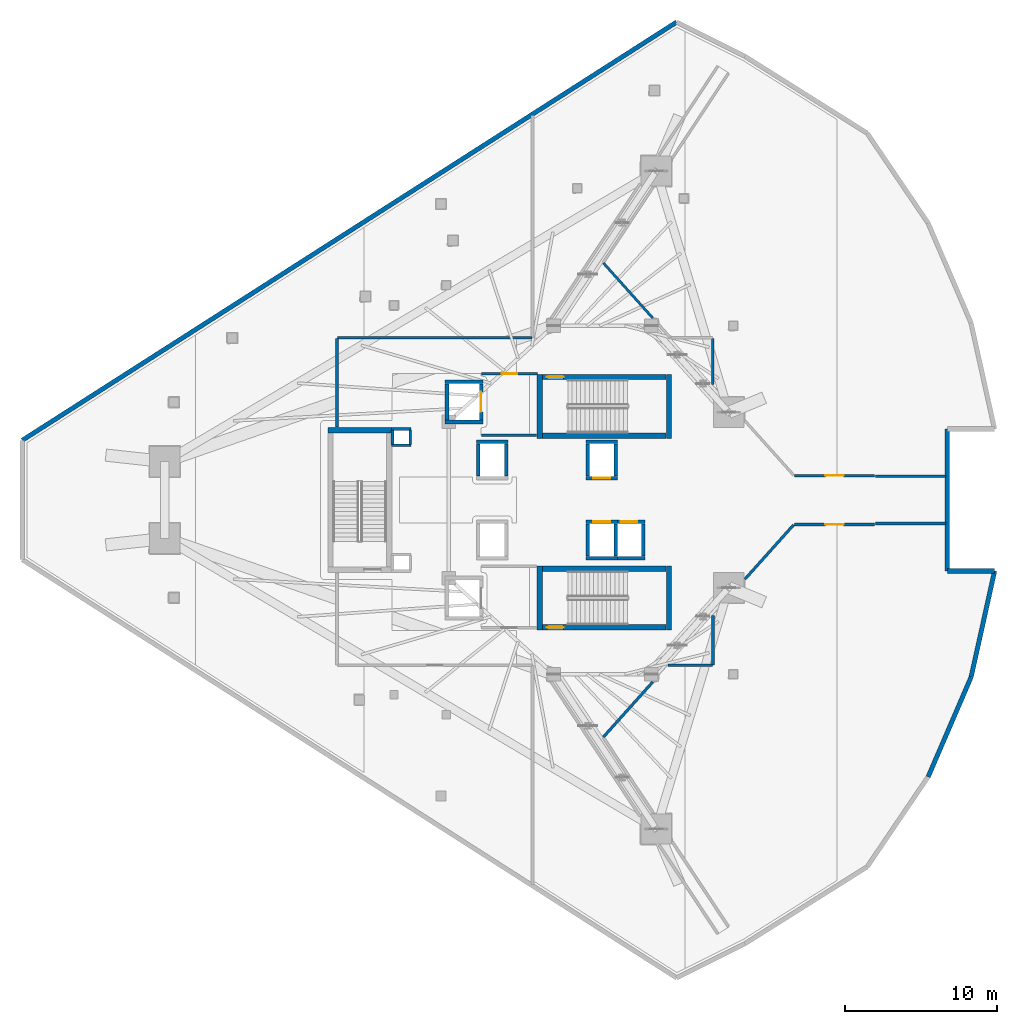
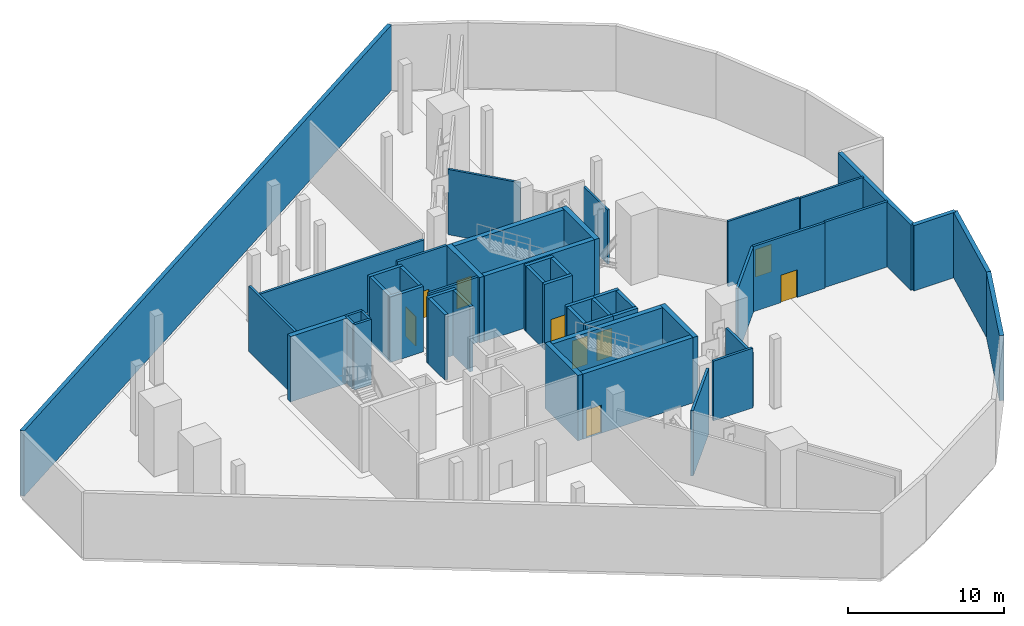
# One storey, part 5 of 13: 50 walls, 9 doors, 9 openings.
"""IFC4 building model written with IfcOpenShell, lengths in metres."""

from ifc_helpers import new_model, si_unit, direction, frame, frame_2d, origin, place, context, subcontext, project, spatial, rectangle, extrude, material, layer, layer_set, type_object, element, fill, save


model = new_model("IFC4")

# Units and contexts
model_context = context("Model", 3, precision=1e-05, world=origin(), true_north=direction((0.0, 1.0)))
body_context = subcontext(model_context, "Body", "Model", "MODEL_VIEW")
ifc_project = project(units=[si_unit("LENGTHUNIT", "METRE"), si_unit("AREAUNIT", "SQUARE_METRE"), si_unit("VOLUMEUNIT", "CUBIC_METRE"), si_unit("PLANEANGLEUNIT", "RADIAN"), si_unit("MASSUNIT", "GRAM", prefix="KILO")], contexts=[model_context])

# Site, building, storey
site_placement = place(None, origin())
site = spatial("IfcSite", under=ifc_project, at=site_placement, CompositionType="ELEMENT")
building_placement = place(site_placement, origin())
building = spatial("IfcBuilding", under=site, at=building_placement, Name="Qorvath Tower", CompositionType="ELEMENT")
storey_placement = place(building_placement, frame((0.0, 0.0, 174.60009765625)))
storey = spatial("IfcBuildingStorey", under=building, at=storey_placement, Name="L40", CompositionType="ELEMENT", Elevation=174.60009765625)

# Walls
ifc_material_1 = material(Name="Gypsum shaftliner on steel studs", Category="steel")
ifc_layer_1 = layer(ifc_material_1, 0.179931640625)
ifc_layer_set_1 = layer_set([ifc_layer_1], Name="FW-LOBBY")
wall_type_1 = type_object("IfcWallType", Name="FW-LOBBY", PredefinedType="PARTITIONING", material=ifc_layer_set_1)
for number, where, z_axis, x_axis, name in (
    (1, (-32.989990234375, 3.594970703125, 0.0), (0.0, 0.0, 1.0), (-1.0, 0.0, 0.0), "MEP Riser Shaft Enclosure Wall N-L40-S"),
    (2, (-34.260009765625, 4.675048828125, 0.0), (0.0, 0.0, 1.0), (1.0, 0.0, 0.0), "MEP Riser Shaft Enclosure Wall N-L40-N"),
):
    element("IfcWall", number, at=place(storey_placement, frame(where, z_axis=z_axis, x_axis=x_axis)), inside=storey, type_object=wall_type_1, Name=name, PredefinedType="PARTITIONING", context=body_context, shape_type="SweptSolid", body=[
        extrude(rectangle(XDim=1.27001953125, YDim=0.179931640625, at=frame_2d((0.635009765625, 0.0))), origin(), (0.0, 0.0, 1.0), 5.099853515625),
    ])
for number, where, z_axis, x_axis, name in (
    (3, (-34.205078125, 3.659912109375, 0.0), (0.0, 0.0, 1.0), (0.0, 1.0, 0.0), "MEP Riser Shaft Enclosure Wall N-L40-W"),
    (4, (-33.044921875, 4.610107421875, 0.0), (0.0, 0.0, 1.0), (0.0, -1.0, 0.0), "MEP Riser Shaft Enclosure Wall N-L40-E"),
):
    element("IfcWall", number, at=place(storey_placement, frame(where, z_axis=z_axis, x_axis=x_axis)), inside=storey, type_object=wall_type_1, Name=name, PredefinedType="PARTITIONING", context=body_context, shape_type="SweptSolid", body=[
        extrude(rectangle(XDim=0.9501953125, YDim=0.179931640625, at=frame_2d((0.47509765625, 0.0))), origin(), (0.0, 0.0, 1.0), 5.099853515625),
    ])
wall_1_placement = place(storey_placement, frame((-28.35498046875, 4.25, 0.0), z_axis=(0.0, 0.0, 1.0), x_axis=(1.0, 0.0, 0.0)))
element("IfcWall", 5, at=wall_1_placement, inside=storey, type_object=wall_type_1, Name="Interior Partition IW-T1-L40-001", PredefinedType="PARTITIONING", context=body_context, shape_type="SweptSolid", body=[
    extrude(rectangle(XDim=3.6220703125, YDim=0.179931640625, at=frame_2d((1.81103515625, 0.0))), origin(), (0.0, 0.0, 1.0), 5.099853515625),
])

# Wall, opening, door
wall_2_placement = place(storey_placement, frame((-24.68408203125, 8.300048828125, 0.0), z_axis=(0.0, 0.0, 1.0), x_axis=(-1.0, 0.0, 0.0)))
wall_2 = element("IfcWall", 6, at=wall_2_placement, inside=storey, type_object=wall_type_1, Name="Interior Partition IW-T1-L40-002", PredefinedType="PARTITIONING", context=body_context, shape_type="SweptSolid", body=[
    extrude(rectangle(XDim=3.6708984375, YDim=0.179931640625, at=frame_2d((1.83544921875, 0.0))), origin(), (0.0, 0.0, 1.0), 5.099853515625),
])
opening_1_placement = place(wall_2_placement, frame((1.33544921875, 0.0, 0.0)))
opening_1 = element("IfcOpeningElement", 7, at=opening_1_placement, cuts=wall_2, Name="Opening D-T1-L40-04", PredefinedType="OPENING", context=body_context, shape_type="SweptSolid", body=[
    extrude(rectangle(XDim=1.0, YDim=2.14990234375, at=frame_2d((0.5, 1.074951171875))), frame((0.0, 0.10009765625, 0.0), z_axis=(0.0, -1.0, 0.0), x_axis=(1.0, 0.0, 0.0)), (0.0, 0.0, 1.0), 0.199951171875),
])
ifc_material_2 = material(Name="Painted galvanised hollow metal", Category="steel")
door_type_1 = type_object("IfcDoorType", Name="FD-60", OperationType="NOTDEFINED", PredefinedType="DOOR", material=ifc_material_2)
door_1_placement = place(opening_1_placement, origin())
door_1 = element("IfcDoor", 8, at=door_1_placement, inside=storey, type_object=door_type_1, Name="Lobby Fire Service Elevator North Door D-T1-L40-04", OperationType="SINGLE_SWING_RIGHT", OverallHeight=2.14990234375, OverallWidth=1.0, PredefinedType="DOOR", context=body_context, shape_type="SweptSolid", body=[
    extrude(rectangle(XDim=1.0, YDim=2.14990234375, at=frame_2d((0.5, 1.074951171875))), frame((0.0, 0.02490234375, 0.0), z_axis=(0.0, -1.0, 0.0), x_axis=(1.0, 0.0, 0.0)), (0.0, 0.0, 1.0), 0.050048828125),
])
fill(opening_1, door_1)

# Walls
wall_3_placement = place(storey_placement, frame((-37.85791015625, 4.783203125, 0.0), z_axis=(0.0, 0.0, 1.0), x_axis=(0.0, 1.0, 0.0)))
element("IfcWall", 9, at=wall_3_placement, inside=storey, type_object=wall_type_1, Name="Interior Partition IW-T1-L40-008", PredefinedType="PARTITIONING", context=body_context, shape_type="SweptSolid", body=[
    extrude(rectangle(XDim=5.849853515625, YDim=0.179931640625, at=frame_2d((2.9248046875, 0.0))), origin(), (0.0, 0.0, 1.0), 5.099853515625),
])
wall_4_placement = place(storey_placement, frame((-25.02490234375, 10.657958984375, 0.0), z_axis=(0.0, 0.0, 1.0), x_axis=(-1.0, 0.0, 0.0)))
element("IfcWall", 10, at=wall_4_placement, inside=storey, type_object=wall_type_1, Name="Interior Partition IW-T1-L40-009", PredefinedType="PARTITIONING", context=body_context, shape_type="SweptSolid", body=[
    extrude(rectangle(XDim=12.80810546875, YDim=0.179931640625, at=frame_2d((6.404052734375, 0.0))), origin(), (0.0, 0.0, 1.0), 4.2197265625),
])
wall_5_placement = place(storey_placement, frame((2.190673828125, -1.550048828125, 0.0), z_axis=(0.0, 0.0, 1.0), x_axis=(-1.0, 0.0, 0.0)))
element("IfcWall", 11, at=wall_5_placement, inside=storey, type_object=wall_type_1, Name="Interior Partition IW-T1-L40-022", PredefinedType="PARTITIONING", context=body_context, shape_type="SweptSolid", body=[
    extrude(rectangle(XDim=4.657470703125, YDim=0.179931640625, at=frame_2d((2.32861328125, 0.0))), origin(), (0.0, 0.0, 1.0), 5.099853515625),
])

# Wall, opening, door
wall_6_placement = place(storey_placement, frame((-2.516845703125, -1.60791015625, 0.0), z_axis=(0.0, 0.0, 1.0), x_axis=(-1.0, 0.0, 0.0)))
wall_6 = element("IfcWall", 12, at=wall_6_placement, inside=storey, type_object=wall_type_1, Name="Interior Partition IW-T1-L40-023", PredefinedType="PARTITIONING", context=body_context, shape_type="SweptSolid", body=[
    extrude(rectangle(XDim=5.270263671875, YDim=0.179931640625, at=frame_2d((2.63525390625, 0.0))), origin(), (0.0, 0.0, 1.0), 5.099853515625),
])
opening_2_placement = place(wall_6_placement, frame((2.03515625, 0.0, 0.0)))
opening_2 = element("IfcOpeningElement", 13, at=opening_2_placement, cuts=wall_6, Name="Opening D-T1-L40-03", PredefinedType="OPENING", context=body_context, shape_type="SweptSolid", body=[
    extrude(rectangle(XDim=1.199951171875, YDim=2.14990234375, at=frame_2d((0.60009765625, 1.074951171875))), frame((0.0, 0.10009765625, 0.0), z_axis=(0.0, -1.0, 0.0), x_axis=(1.0, 0.0, 0.0)), (0.0, 0.0, 1.0), 0.199951171875),
])
ifc_material_3 = material(Name="Painted galvanised hollow metal", Category="steel")
door_type_2 = type_object("IfcDoorType", Name="FD-60W", OperationType="NOTDEFINED", PredefinedType="DOOR", material=ifc_material_3)
door_2_placement = place(opening_2_placement, origin())
door_2 = element("IfcDoor", 14, at=door_2_placement, inside=storey, type_object=door_type_2, Name="Plant Electrical Switchgear Room L40 Door D-T1-L40-03", OperationType="SINGLE_SWING_LEFT", OverallHeight=2.14990234375, OverallWidth=1.199951171875, PredefinedType="DOOR", context=body_context, shape_type="SweptSolid", body=[
    extrude(rectangle(XDim=1.199951171875, YDim=2.14990234375, at=frame_2d((0.60009765625, 1.074951171875))), frame((0.0, 0.02490234375, 0.0), z_axis=(0.0, -1.0, 0.0), x_axis=(1.0, 0.0, 0.0)), (0.0, 0.0, 1.0), 0.050048828125),
])
fill(opening_2, door_2)

# Walls
wall_7_placement = place(storey_placement, frame((-7.82861328125, -1.62646484375, 0.0), z_axis=(0.0, 0.0, 1.0), x_axis=(-0.667539194933, -0.744574659271, 0.0)))
element("IfcWall", 15, at=wall_7_placement, inside=storey, type_object=wall_type_1, Name="Interior Partition IW-T1-L40-024", PredefinedType="PARTITIONING", context=body_context, shape_type="SweptSolid", body=[
    extrude(rectangle(XDim=4.810791015625, YDim=0.179931640625, at=frame_2d((2.4052734375, 0.0))), origin(), (0.0, 0.0, 1.0), 5.099853515625),
])
wall_8_placement = place(storey_placement, frame((-13.14208984375, -7.577880859375, 0.0), z_axis=(0.0, 0.0, 1.0), x_axis=(0.0, -1.0, 0.0)))
element("IfcWall", 16, at=wall_8_placement, inside=storey, type_object=wall_type_1, Name="Interior Partition IW-T1-L40-025", PredefinedType="PARTITIONING", context=body_context, shape_type="SweptSolid", body=[
    extrude(rectangle(XDim=3.255126953125, YDim=0.179931640625, at=frame_2d((1.62744140625, 0.0))), origin(), (0.0, 0.0, 1.0), 4.2197265625),
])
wall_9_placement = place(storey_placement, frame((-13.1669921875, -10.85791015625, 0.0), z_axis=(0.0, 0.0, 1.0), x_axis=(-1.0, 0.0, 0.0)))
element("IfcWall", 17, at=wall_9_placement, inside=storey, type_object=wall_type_1, Name="Interior Partition IW-T1-L40-026", PredefinedType="PARTITIONING", context=body_context, shape_type="SweptSolid", body=[
    extrude(rectangle(XDim=2.9130859375, YDim=0.179931640625, at=frame_2d((1.45654296875, 0.0))), origin(), (0.0, 0.0, 1.0), 4.6640625),
])
wall_10_placement = place(storey_placement, frame((-17.092041015625, -11.95849609375, 0.0), z_axis=(0.0, 0.0, 1.0), x_axis=(-0.667490298594, -0.744618493782, 0.0)))
element("IfcWall", 18, at=wall_10_placement, inside=storey, type_object=wall_type_1, Name="Interior Partition IW-T1-L40-027", PredefinedType="PARTITIONING", context=body_context, shape_type="SweptSolid", body=[
    extrude(rectangle(XDim=4.862060546875, YDim=0.179931640625, at=frame_2d((2.43115234375, 0.0))), origin(), (0.0, 0.0, 1.0), 5.099853515625),
])
ifc_material_4 = material(Name="Double acoustic gypsum board on steel studs", Category="steel")
ifc_layer_2 = layer(ifc_material_4, 0.159912109375)
ifc_layer_set_2 = layer_set([ifc_layer_2], Name="IW-ACOUSTIC-160")
wall_type_2 = type_object("IfcWallType", Name="IW-ACOUSTIC-160", PredefinedType="PARTITIONING", material=ifc_layer_set_2)
wall_11_placement = place(storey_placement, frame((-20.33740234375, 15.578857421875, 0.0), z_axis=(0.0, 0.0, 1.0), x_axis=(0.667490298594, -0.744618493782, 0.0)))
element("IfcWall", 19, at=wall_11_placement, inside=storey, type_object=wall_type_2, Name="Interior Partition IW-T1-L40-015", PredefinedType="PARTITIONING", context=body_context, shape_type="SweptSolid", body=[
    extrude(rectangle(XDim=4.862060546875, YDim=0.159912109375, at=frame_2d((2.43115234375, 0.0))), origin(), (0.0, 0.0, 1.0), 5.099853515625),
])
wall_12_placement = place(storey_placement, frame((-13.14208984375, 10.633056640625, 0.0), z_axis=(0.0, 0.0, 1.0), x_axis=(0.0, -1.0, 0.0)))
element("IfcWall", 20, at=wall_12_placement, inside=storey, type_object=wall_type_2, Name="Interior Partition IW-T1-L40-018", PredefinedType="PARTITIONING", context=body_context, shape_type="SweptSolid", body=[
    extrude(rectangle(XDim=3.05517578125, YDim=0.159912109375, at=frame_2d((1.527587890625, 0.0))), origin(), (0.0, 0.0, 1.0), 4.2197265625),
])

# Wall, opening, door
wall_13_placement = place(storey_placement, frame((-7.787109375, 1.60791015625, 0.0), z_axis=(0.0, 0.0, 1.0), x_axis=(1.0, 0.0, 0.0)))
wall_13 = element("IfcWall", 21, at=wall_13_placement, inside=storey, type_object=wall_type_2, Name="Interior Partition IW-T1-L40-020", PredefinedType="PARTITIONING", context=body_context, shape_type="SweptSolid", body=[
    extrude(rectangle(XDim=5.270263671875, YDim=0.159912109375, at=frame_2d((2.63525390625, 0.0))), origin(), (0.0, 0.0, 1.0), 5.099853515625),
])
opening_3_placement = place(wall_13_placement, frame((2.03515625, 0.0, 0.0)))
opening_3 = element("IfcOpeningElement", 22, at=opening_3_placement, cuts=wall_13, Name="Opening D-T1-L40-02", PredefinedType="OPENING", context=body_context, shape_type="SweptSolid", body=[
    extrude(rectangle(XDim=1.199951171875, YDim=2.14990234375, at=frame_2d((0.60009765625, 1.074951171875))), frame((0.0, 0.08984375, 0.0), z_axis=(0.0, -1.0, 0.0), x_axis=(1.0, 0.0, 0.0)), (0.0, 0.0, 1.0), 0.179931640625),
])
ifc_material_5 = material(Name="Painted hollow steel utility leaf", Category="steel")
door_type_3 = type_object("IfcDoorType", Name="D-05", OperationType="NOTDEFINED", PredefinedType="DOOR", material=ifc_material_5)
door_3_placement = place(opening_3_placement, origin())
door_3 = element("IfcDoor", 23, at=door_3_placement, inside=storey, type_object=door_type_3, Name="Plant Air-Handling Room L40 Door D-T1-L40-02", OperationType="SINGLE_SWING_RIGHT", OverallHeight=2.14990234375, OverallWidth=1.199951171875, PredefinedType="DOOR", context=body_context, shape_type="SweptSolid", body=[
    extrude(rectangle(XDim=1.199951171875, YDim=2.14990234375, at=frame_2d((0.60009765625, 1.074951171875))), frame((0.0, 0.02490234375, 0.0), z_axis=(0.0, -1.0, 0.0), x_axis=(1.0, 0.0, 0.0)), (0.0, 0.0, 1.0), 0.050048828125),
])
fill(opening_3, door_3)

# Walls
wall_14_placement = place(storey_placement, frame((-2.466796875, 1.550048828125, 0.0), z_axis=(0.0, 0.0, 1.0), x_axis=(1.0, 0.0, 0.0)))
element("IfcWall", 24, at=wall_14_placement, inside=storey, type_object=wall_type_2, Name="Interior Partition IW-T1-L40-021", PredefinedType="PARTITIONING", context=body_context, shape_type="SweptSolid", body=[
    extrude(rectangle(XDim=4.657470703125, YDim=0.159912109375, at=frame_2d((2.32861328125, 0.0))), origin(), (0.0, 0.0, 1.0), 5.099853515625),
])
ifc_material_6 = material(Name="Concrete C60/75", Category="concrete")
ifc_layer_3 = layer(ifc_material_6, 0.260009765625)
ifc_layer_set_3 = layer_set([ifc_layer_3], Name="SW-SHAFT")
wall_type_3 = type_object("IfcWallType", Name="SW-SHAFT", PredefinedType="SHEAR", material=ifc_layer_set_3)
for number, where, z_axis, x_axis, name in (
    (25, (-28.260009765625, 5.1298828125, 0.0), (0.0, 0.0, 1.0), (-1.0, 0.0, 0.0), "Hoistway Wall FSAE-1 L40 S"),
    (26, (-30.739990234375, 7.77001953125, 0.0), (0.0, 0.0, 1.0), (1.0, 0.0, 0.0), "Hoistway Wall FSAE-1 L40 N"),
):
    element("IfcWall", number, at=place(storey_placement, frame(where, z_axis=z_axis, x_axis=x_axis)), inside=storey, type_object=wall_type_3, Name=name, PredefinedType="SHEAR", context=body_context, shape_type="SweptSolid", body=[
        extrude(rectangle(XDim=2.47998046875, YDim=0.239990234375, at=frame_2d((1.239990234375, 0.0))), origin(), (0.0, 0.0, 1.0), 5.099853515625),
    ])
wall_15_placement = place(storey_placement, frame((-30.6201171875, 5.261962890625, 0.0), z_axis=(0.0, 0.0, 1.0), x_axis=(0.0, 1.0, 0.0)))
element("IfcWall", 27, at=wall_15_placement, inside=storey, type_object=wall_type_3, Name="Hoistway Wall FSAE-1 L40 W", PredefinedType="SHEAR", context=body_context, shape_type="SweptSolid", body=[
    extrude(rectangle(XDim=2.3759765625, YDim=0.239990234375, at=frame_2d((1.18798828125, 0.0))), origin(), (0.0, 0.0, 1.0), 5.099853515625),
])

# Wall, opening, door
wall_16_placement = place(storey_placement, frame((-28.3798828125, 7.637939453125, 0.0), z_axis=(0.0, 0.0, 1.0), x_axis=(0.0, -1.0, 0.0)))
wall_16 = element("IfcWall", 28, at=wall_16_placement, inside=storey, type_object=wall_type_3, Name="Hoistway Wall FSAE-1 L40 E", PredefinedType="SHEAR", context=body_context, shape_type="SweptSolid", body=[
    extrude(rectangle(XDim=2.3759765625, YDim=0.239990234375, at=frame_2d((1.18798828125, 0.0))), origin(), (0.0, 0.0, 1.0), 5.099853515625),
])
opening_4_placement = place(wall_16_placement, frame((0.537841796875, 0.0, 0.0)))
opening_4 = element("IfcOpeningElement", 29, at=opening_4_placement, cuts=wall_16, Name="Opening LD-FSAE-1-L40", PredefinedType="OPENING", context=body_context, shape_type="SweptSolid", body=[
    extrude(rectangle(XDim=1.300048828125, YDim=2.300048828125, at=frame_2d((0.64990234375, 1.14990234375))), frame((0.0, 0.1298828125, 0.0), z_axis=(0.0, -1.0, 0.0), x_axis=(1.0, 0.0, 0.0)), (0.0, 0.0, 1.0), 0.260009765625),
])
ifc_material_7 = material(Name="Brushed stainless steel AISI 316", Category="steel")
door_type_4 = type_object("IfcDoorType", Name="LD-02", OperationType="NOTDEFINED", PredefinedType="DOOR", material=ifc_material_7)
door_4_placement = place(opening_4_placement, origin())
door_4 = element("IfcDoor", 30, at=door_4_placement, inside=storey, type_object=door_type_4, Name="Elevator Landing Sliding Door LD-FSAE-1-L40", OperationType="DOUBLE_DOOR_SLIDING", OverallHeight=2.300048828125, OverallWidth=1.300048828125, PredefinedType="DOOR", context=body_context, shape_type="SweptSolid", body=[
    extrude(rectangle(XDim=1.300048828125, YDim=2.300048828125, at=frame_2d((0.64990234375, 1.14990234375))), frame((0.0, 0.02490234375, 0.0), z_axis=(0.0, -1.0, 0.0), x_axis=(1.0, 0.0, 0.0)), (0.0, 0.0, 1.0), 0.050048828125),
])
fill(opening_4, door_4)

# Walls
wall_17_placement = place(storey_placement, frame((-28.68994140625, 3.820068359375, 0.0), z_axis=(0.0, 0.0, 1.0), x_axis=(1.0, 0.0, 0.0)))
element("IfcWall", 31, at=wall_17_placement, inside=storey, type_object=wall_type_3, Name="Hoistway Wall PS-1 L40 N", PredefinedType="SHEAR", context=body_context, shape_type="SweptSolid", body=[
    extrude(rectangle(XDim=2.079833984375, YDim=0.239990234375, at=frame_2d((1.0400390625, 0.0))), origin(), (0.0, 0.0, 1.0), 5.099853515625),
])
for number, where, z_axis, x_axis, name in (
    (32, (-28.570068359375, 1.56201171875, 0.0), (0.0, 0.0, 1.0), (0.0, 1.0, 0.0), "Hoistway Wall PS-1 L40 W"),
    (33, (-26.72998046875, 3.68798828125, 0.0), (0.0, 0.0, 1.0), (0.0, -1.0, 0.0), "Hoistway Wall PS-1 L40 E"),
):
    element("IfcWall", number, at=place(storey_placement, frame(where, z_axis=z_axis, x_axis=x_axis)), inside=storey, type_object=wall_type_3, Name=name, PredefinedType="SHEAR", context=body_context, shape_type="SweptSolid", body=[
        extrude(rectangle(XDim=2.1259765625, YDim=0.239990234375, at=frame_2d((1.06298828125, 0.0))), origin(), (0.0, 0.0, 1.0), 5.099853515625),
    ])

# Wall, opening, door
wall_18_placement = place(storey_placement, frame((-19.409912109375, 1.429931640625, 0.0), z_axis=(0.0, 0.0, 1.0), x_axis=(-1.0, 0.0, 0.0)))
wall_18 = element("IfcWall", 34, at=wall_18_placement, inside=storey, type_object=wall_type_3, Name="Hoistway Wall PM-1 L40 S", PredefinedType="SHEAR", context=body_context, shape_type="SweptSolid", body=[
    extrude(rectangle(XDim=2.080078125, YDim=0.239990234375, at=frame_2d((1.0400390625, 0.0))), origin(), (0.0, 0.0, 1.0), 5.099853515625),
])
opening_5_placement = place(wall_18_placement, frame((0.489990234375, 0.0, 0.0)))
opening_5 = element("IfcOpeningElement", 35, at=opening_5_placement, cuts=wall_18, Name="Opening LD-PM-1-L40", PredefinedType="OPENING", context=body_context, shape_type="SweptSolid", body=[
    extrude(rectangle(XDim=1.10009765625, YDim=2.199951171875, at=frame_2d((0.550048828125, 1.10009765625))), frame((0.0, 0.1298828125, 0.0), z_axis=(0.0, -1.0, 0.0), x_axis=(1.0, 0.0, 0.0)), (0.0, 0.0, 1.0), 0.260009765625),
])
ifc_material_8 = material(Name="Brushed stainless steel AISI 316", Category="steel")
door_type_5 = type_object("IfcDoorType", Name="LD-01", OperationType="NOTDEFINED", PredefinedType="DOOR", material=ifc_material_8)
door_5_placement = place(opening_5_placement, origin())
door_5 = element("IfcDoor", 36, at=door_5_placement, inside=storey, type_object=door_type_5, Name="Elevator Landing Sliding Door LD-PM-1-L40", OperationType="DOUBLE_DOOR_SLIDING", OverallHeight=2.199951171875, OverallWidth=1.10009765625, PredefinedType="DOOR", context=body_context, shape_type="SweptSolid", body=[
    extrude(rectangle(XDim=1.10009765625, YDim=2.199951171875, at=frame_2d((0.550048828125, 1.10009765625))), frame((0.0, 0.02490234375, 0.0), z_axis=(0.0, -1.0, 0.0), x_axis=(1.0, 0.0, 0.0)), (0.0, 0.0, 1.0), 0.050048828125),
])
fill(opening_5, door_5)

# Walls
wall_19_placement = place(storey_placement, frame((-21.489990234375, 3.820068359375, 0.0), z_axis=(0.0, 0.0, 1.0), x_axis=(1.0, 0.0, 0.0)))
element("IfcWall", 37, at=wall_19_placement, inside=storey, type_object=wall_type_3, Name="Hoistway Wall PM-1 L40 N", PredefinedType="SHEAR", context=body_context, shape_type="SweptSolid", body=[
    extrude(rectangle(XDim=2.080078125, YDim=0.239990234375, at=frame_2d((1.0400390625, 0.0))), origin(), (0.0, 0.0, 1.0), 5.099853515625),
])
for number, where, z_axis, x_axis, name in (
    (38, (-21.3701171875, 1.56201171875, 0.0), (0.0, 0.0, 1.0), (0.0, 1.0, 0.0), "Hoistway Wall PM-1 L40 W"),
    (39, (-19.530029296875, 3.68798828125, 0.0), (0.0, 0.0, 1.0), (0.0, -1.0, 0.0), "Hoistway Wall PM-1 L40 E"),
):
    element("IfcWall", number, at=place(storey_placement, frame(where, z_axis=z_axis, x_axis=x_axis)), inside=storey, type_object=wall_type_3, Name=name, PredefinedType="SHEAR", context=body_context, shape_type="SweptSolid", body=[
        extrude(rectangle(XDim=2.1259765625, YDim=0.239990234375, at=frame_2d((1.06298828125, 0.0))), origin(), (0.0, 0.0, 1.0), 5.099853515625),
    ])
wall_20_placement = place(storey_placement, frame((-19.409912109375, -3.820068359375, 0.0), z_axis=(0.0, 0.0, 1.0), x_axis=(-1.0, 0.0, 0.0)))
element("IfcWall", 40, at=wall_20_placement, inside=storey, type_object=wall_type_3, Name="Hoistway Wall PM-2 L40 S", PredefinedType="SHEAR", context=body_context, shape_type="SweptSolid", body=[
    extrude(rectangle(XDim=2.080078125, YDim=0.239990234375, at=frame_2d((1.0400390625, 0.0))), origin(), (0.0, 0.0, 1.0), 5.099853515625),
])

# Wall, opening, door
wall_21_placement = place(storey_placement, frame((-21.489990234375, -1.429931640625, 0.0), z_axis=(0.0, 0.0, 1.0), x_axis=(1.0, 0.0, 0.0)))
wall_21 = element("IfcWall", 41, at=wall_21_placement, inside=storey, type_object=wall_type_3, Name="Hoistway Wall PM-2 L40 N", PredefinedType="SHEAR", context=body_context, shape_type="SweptSolid", body=[
    extrude(rectangle(XDim=2.080078125, YDim=0.239990234375, at=frame_2d((1.0400390625, 0.0))), origin(), (0.0, 0.0, 1.0), 5.099853515625),
])
opening_6_placement = place(wall_21_placement, frame((0.489990234375, 0.0, 0.0)))
opening_6 = element("IfcOpeningElement", 42, at=opening_6_placement, cuts=wall_21, Name="Opening LD-PM-2-L40", PredefinedType="OPENING", context=body_context, shape_type="SweptSolid", body=[
    extrude(rectangle(XDim=1.10009765625, YDim=2.199951171875, at=frame_2d((0.550048828125, 1.10009765625))), frame((0.0, 0.1298828125, 0.0), z_axis=(0.0, -1.0, 0.0), x_axis=(1.0, 0.0, 0.0)), (0.0, 0.0, 1.0), 0.260009765625),
])
door_6_placement = place(opening_6_placement, origin())
door_6 = element("IfcDoor", 43, at=door_6_placement, inside=storey, type_object=door_type_5, Name="Elevator Landing Sliding Door LD-PM-2-L40", OperationType="DOUBLE_DOOR_SLIDING", OverallHeight=2.199951171875, OverallWidth=1.10009765625, PredefinedType="DOOR", context=body_context, shape_type="SweptSolid", body=[
    extrude(rectangle(XDim=1.10009765625, YDim=2.199951171875, at=frame_2d((0.550048828125, 1.10009765625))), frame((0.0, 0.02490234375, 0.0), z_axis=(0.0, -1.0, 0.0), x_axis=(1.0, 0.0, 0.0)), (0.0, 0.0, 1.0), 0.050048828125),
])
fill(opening_6, door_6)

# Walls
for number, where, z_axis, x_axis, name in (
    (44, (-21.3701171875, -3.68798828125, 0.0), (0.0, 0.0, 1.0), (0.0, 1.0, 0.0), "Hoistway Wall PM-2 L40 W"),
    (45, (-19.530029296875, -1.56201171875, 0.0), (0.0, 0.0, 1.0), (0.0, -1.0, 0.0), "Hoistway Wall PM-2 L40 E"),
):
    element("IfcWall", number, at=place(storey_placement, frame(where, z_axis=z_axis, x_axis=x_axis)), inside=storey, type_object=wall_type_3, Name=name, PredefinedType="SHEAR", context=body_context, shape_type="SweptSolid", body=[
        extrude(rectangle(XDim=2.1259765625, YDim=0.239990234375, at=frame_2d((1.06298828125, 0.0))), origin(), (0.0, 0.0, 1.0), 5.099853515625),
    ])
wall_22_placement = place(storey_placement, frame((-17.610107421875, -3.820068359375, 0.0), z_axis=(0.0, 0.0, 1.0), x_axis=(-1.0, 0.0, 0.0)))
element("IfcWall", 46, at=wall_22_placement, inside=storey, type_object=wall_type_3, Name="Hoistway Wall PM-3 L40 S", PredefinedType="SHEAR", context=body_context, shape_type="SweptSolid", body=[
    extrude(rectangle(XDim=1.7998046875, YDim=0.239990234375, at=frame_2d((0.89990234375, 0.0))), origin(), (0.0, 0.0, 1.0), 5.099853515625),
])

# Wall, opening, door
wall_23_placement = place(storey_placement, frame((-19.409912109375, -1.429931640625, 0.0), z_axis=(0.0, 0.0, 1.0), x_axis=(1.0, 0.0, 0.0)))
wall_23 = element("IfcWall", 47, at=wall_23_placement, inside=storey, type_object=wall_type_3, Name="Hoistway Wall PM-3 L40 N", PredefinedType="SHEAR", context=body_context, shape_type="SweptSolid", body=[
    extrude(rectangle(XDim=1.7998046875, YDim=0.239990234375, at=frame_2d((0.89990234375, 0.0))), origin(), (0.0, 0.0, 1.0), 5.099853515625),
])
opening_7_placement = place(wall_23_placement, frame((0.2099609375, 0.0, 0.0)))
opening_7 = element("IfcOpeningElement", 48, at=opening_7_placement, cuts=wall_23, Name="Opening LD-PM-3-L40", PredefinedType="OPENING", context=body_context, shape_type="SweptSolid", body=[
    extrude(rectangle(XDim=1.10009765625, YDim=2.199951171875, at=frame_2d((0.550048828125, 1.10009765625))), frame((0.0, 0.1298828125, 0.0), z_axis=(0.0, -1.0, 0.0), x_axis=(1.0, 0.0, 0.0)), (0.0, 0.0, 1.0), 0.260009765625),
])
door_7_placement = place(opening_7_placement, origin())
door_7 = element("IfcDoor", 49, at=door_7_placement, inside=storey, type_object=door_type_5, Name="Elevator Landing Sliding Door LD-PM-3-L40", OperationType="DOUBLE_DOOR_SLIDING", OverallHeight=2.199951171875, OverallWidth=1.10009765625, PredefinedType="DOOR", context=body_context, shape_type="SweptSolid", body=[
    extrude(rectangle(XDim=1.10009765625, YDim=2.199951171875, at=frame_2d((0.550048828125, 1.10009765625))), frame((0.0, 0.02490234375, 0.0), z_axis=(0.0, -1.0, 0.0), x_axis=(1.0, 0.0, 0.0)), (0.0, 0.0, 1.0), 0.050048828125),
])
fill(opening_7, door_7)

# Walls
wall_24_placement = place(storey_placement, frame((-17.72998046875, -1.56201171875, 0.0), z_axis=(0.0, 0.0, 1.0), x_axis=(0.0, -1.0, 0.0)))
element("IfcWall", 50, at=wall_24_placement, inside=storey, type_object=wall_type_3, Name="Hoistway Wall PM-3 L40 E", PredefinedType="SHEAR", context=body_context, shape_type="SweptSolid", body=[
    extrude(rectangle(XDim=2.1259765625, YDim=0.239990234375, at=frame_2d((1.06298828125, 0.0))), origin(), (0.0, 0.0, 1.0), 5.099853515625),
])
ifc_material_9 = material(Name="Concrete C60/75", Category="concrete")
ifc_layer_4 = layer(ifc_material_9, 0.35009765625)
ifc_layer_set_4 = layer_set([ifc_layer_4], Name="SW-STAIR")
wall_type_4 = type_object("IfcWallType", Name="SW-STAIR", PredefinedType="SHEAR", material=ifc_layer_set_4)
for number, where, z_axis, x_axis, name in (
    (51, (-24.52490234375, 8.260009765625, 0.0), (0.0, 0.0, 1.0), (0.0, -1.0, 0.0), "Stair TS1 Shear Wall L40 NEAR"),
    (52, (-16.02490234375, 4.050048828125, 0.0), (0.0, 0.0, 1.0), (0.0, 1.0, 0.0), "Stair TS1 Shear Wall L40 FAR"),
):
    element("IfcWall", number, at=place(storey_placement, frame(where, z_axis=z_axis, x_axis=x_axis)), inside=storey, type_object=wall_type_4, Name=name, PredefinedType="SHEAR", context=body_context, shape_type="SweptSolid", body=[
        extrude(rectangle(XDim=4.2099609375, YDim=0.35009765625, at=frame_2d((2.10498046875, 0.0))), origin(), (0.0, 0.0, 1.0), 5.099853515625),
    ])
wall_25_placement = place(storey_placement, frame((-24.3349609375, 4.22509765625, 0.0), z_axis=(0.0, 0.0, 1.0), x_axis=(1.0, 0.0, 0.0)))
element("IfcWall", 53, at=wall_25_placement, inside=storey, type_object=wall_type_4, Name="Stair TS1 Shear Wall L40 LEFT", PredefinedType="SHEAR", context=body_context, shape_type="SweptSolid", body=[
    extrude(rectangle(XDim=8.119873046875, YDim=0.35009765625, at=frame_2d((4.06005859375, 0.0))), origin(), (0.0, 0.0, 1.0), 5.099853515625),
])

# Wall, opening, door
wall_26_placement = place(storey_placement, frame((-16.215087890625, 8.0849609375, 0.0), z_axis=(0.0, 0.0, 1.0), x_axis=(-1.0, 0.0, 0.0)))
wall_26 = element("IfcWall", 54, at=wall_26_placement, inside=storey, type_object=wall_type_4, Name="Stair TS1 Shear Wall L40 RIGHT", PredefinedType="SHEAR", context=body_context, shape_type="SweptSolid", body=[
    extrude(rectangle(XDim=8.119873046875, YDim=0.35009765625, at=frame_2d((4.06005859375, 0.0))), origin(), (0.0, 0.0, 1.0), 5.099853515625),
])
opening_8_placement = place(wall_26_placement, frame((6.739990234375, 0.0, 0.0)))
opening_8 = element("IfcOpeningElement", 55, at=opening_8_placement, cuts=wall_26, Name="Opening D-TS1-L40", PredefinedType="OPENING", context=body_context, shape_type="SweptSolid", body=[
    extrude(rectangle(XDim=1.10009765625, YDim=2.199951171875, at=frame_2d((0.550048828125, 1.10009765625))), frame((0.0, 0.18505859375, 0.0), z_axis=(0.0, -1.0, 0.0), x_axis=(1.0, 0.0, 0.0)), (0.0, 0.0, 1.0), 0.3701171875),
])
ifc_material_10 = material(Name="Painted galvanised hollow metal", Category="steel")
door_type_6 = type_object("IfcDoorType", Name="FD-90", OperationType="NOTDEFINED", PredefinedType="DOOR", material=ifc_material_10)
door_8_placement = place(opening_8_placement, origin())
door_8 = element("IfcDoor", 56, at=door_8_placement, inside=storey, type_object=door_type_6, Name="Stair TS1 Fire Door L40", OperationType="SINGLE_SWING_LEFT", OverallHeight=2.199951171875, OverallWidth=1.10009765625, PredefinedType="DOOR", context=body_context, shape_type="SweptSolid", body=[
    extrude(rectangle(XDim=1.10009765625, YDim=2.199951171875, at=frame_2d((0.550048828125, 1.10009765625))), frame((0.0, 0.02490234375, 0.0), z_axis=(0.0, -1.0, 0.0), x_axis=(1.0, 0.0, 0.0)), (0.0, 0.0, 1.0), 0.050048828125),
])
fill(opening_8, door_8)

# Walls
for number, where, z_axis, x_axis, name in (
    (57, (-24.52490234375, -4.340087890625, 0.0), (0.0, 0.0, 1.0), (0.0, -1.0, 0.0), "Stair TS2 Shear Wall L40 NEAR"),
    (58, (-16.02490234375, -8.550048828125, 0.0), (0.0, 0.0, 1.0), (0.0, 1.0, 0.0), "Stair TS2 Shear Wall L40 FAR"),
):
    element("IfcWall", number, at=place(storey_placement, frame(where, z_axis=z_axis, x_axis=x_axis)), inside=storey, type_object=wall_type_4, Name=name, PredefinedType="SHEAR", context=body_context, shape_type="SweptSolid", body=[
        extrude(rectangle(XDim=4.2099609375, YDim=0.35009765625, at=frame_2d((2.10498046875, 0.0))), origin(), (0.0, 0.0, 1.0), 5.099853515625),
    ])

# Wall, opening, door
wall_27_placement = place(storey_placement, frame((-24.3349609375, -8.375, 0.0), z_axis=(0.0, 0.0, 1.0), x_axis=(1.0, 0.0, 0.0)))
wall_27 = element("IfcWall", 59, at=wall_27_placement, inside=storey, type_object=wall_type_4, Name="Stair TS2 Shear Wall L40 LEFT", PredefinedType="SHEAR", context=body_context, shape_type="SweptSolid", body=[
    extrude(rectangle(XDim=8.119873046875, YDim=0.35009765625, at=frame_2d((4.06005859375, 0.0))), origin(), (0.0, 0.0, 1.0), 5.099853515625),
])
opening_9_placement = place(wall_27_placement, frame((0.280029296875, 0.0, 0.0)))
opening_9 = element("IfcOpeningElement", 60, at=opening_9_placement, cuts=wall_27, Name="Opening D-TS2-L40", PredefinedType="OPENING", context=body_context, shape_type="SweptSolid", body=[
    extrude(rectangle(XDim=1.10009765625, YDim=2.199951171875, at=frame_2d((0.550048828125, 1.10009765625))), frame((0.0, 0.18505859375, 0.0), z_axis=(0.0, -1.0, 0.0), x_axis=(1.0, 0.0, 0.0)), (0.0, 0.0, 1.0), 0.3701171875),
])
door_9_placement = place(opening_9_placement, origin())
door_9 = element("IfcDoor", 61, at=door_9_placement, inside=storey, type_object=door_type_6, Name="Stair TS2 Fire Door L40", OperationType="SINGLE_SWING_LEFT", OverallHeight=2.199951171875, OverallWidth=1.10009765625, PredefinedType="DOOR", context=body_context, shape_type="SweptSolid", body=[
    extrude(rectangle(XDim=1.10009765625, YDim=2.199951171875, at=frame_2d((0.550048828125, 1.10009765625))), frame((0.0, 0.02490234375, 0.0), z_axis=(0.0, -1.0, 0.0), x_axis=(1.0, 0.0, 0.0)), (0.0, 0.0, 1.0), 0.050048828125),
])
fill(opening_9, door_9)

# Walls
wall_28_placement = place(storey_placement, frame((-16.215087890625, -4.514892578125, 0.0), z_axis=(0.0, 0.0, 1.0), x_axis=(-1.0, 0.0, 0.0)))
element("IfcWall", 62, at=wall_28_placement, inside=storey, type_object=wall_type_4, Name="Stair TS2 Shear Wall L40 RIGHT", PredefinedType="SHEAR", context=body_context, shape_type="SweptSolid", body=[
    extrude(rectangle(XDim=8.119873046875, YDim=0.35009765625, at=frame_2d((4.06005859375, 0.0))), origin(), (0.0, 0.0, 1.0), 5.099853515625),
])
wall_29_placement = place(storey_placement, frame((-34.25, 4.574951171875, 0.0), z_axis=(0.0, 0.0, 1.0), x_axis=(-1.0, 0.0, 0.0)))
element("IfcWall", 63, at=wall_29_placement, inside=storey, type_object=wall_type_4, Name="Stair TS3 Shear Wall L40 FAR", PredefinedType="SHEAR", context=body_context, shape_type="SweptSolid", body=[
    extrude(rectangle(XDim=4.2099609375, YDim=0.35009765625, at=frame_2d((2.10498046875, 0.0))), origin(), (0.0, 0.0, 1.0), 5.099853515625),
])
ifc_material_11 = material(Name="Precast concrete C45/55", Category="concrete")
ifc_layer_5 = layer(ifc_material_11, 0.300048828125)
ifc_layer_set_5 = layer_set([ifc_layer_5], Name="WL-EW-LOG-300")
wall_type_5 = type_object("IfcWallType", Name="WL-EW-LOG-300", PredefinedType="SOLIDWALL", material=ifc_layer_set_5)
for number, where, z_axis, x_axis, name in (
    (64, (3.837158203125, -11.641357421875, 0.0), (0.0, 0.0, 1.0), (-0.39547356494, -0.918477359238, 0.0), "Tower Precast Loggia Wall L40-6.1"),
    (65, (5.381103515625, -4.66552734375, 0.0), (0.0, 0.0, 1.0), (-0.216098211534, -0.976371631589, 0.0), "Tower Precast Loggia Wall L40-7.1"),
):
    element("IfcWall", number, at=place(storey_placement, frame(where, z_axis=z_axis, x_axis=x_axis)), inside=storey, type_object=wall_type_5, Name=name, PredefinedType="SOLIDWALL", context=body_context, shape_type="SweptSolid", body=[
        extrude(rectangle(XDim=7.14453125, YDim=0.300048828125, at=frame_2d((3.572265625, 0.0))), origin(), (0.0, 0.0, 1.0), 5.099853515625),
    ])
wall_30_placement = place(storey_placement, frame((5.381103515625, -4.66552734375, 0.0), z_axis=(0.0, 0.0, 1.0), x_axis=(-1.0, 0.0, 0.0)))
element("IfcWall", 66, at=wall_30_placement, inside=storey, type_object=wall_type_5, Name="Tower Precast Loggia Wall L40-8.1", PredefinedType="SOLIDWALL", context=body_context, shape_type="SweptSolid", body=[
    extrude(rectangle(XDim=3.1103515625, YDim=0.300048828125, at=frame_2d((1.55517578125, 0.0))), origin(), (0.0, 0.0, 1.0), 5.099853515625),
])
wall_31_placement = place(storey_placement, frame((2.270751953125, 4.66552734375, 0.0), z_axis=(0.0, 0.0, 1.0), x_axis=(0.0, -1.0, 0.0)))
element("IfcWall", 67, at=wall_31_placement, inside=storey, type_object=wall_type_5, Name="Tower Precast Loggia Wall L40-9.1", PredefinedType="SOLIDWALL", context=body_context, shape_type="SweptSolid", body=[
    extrude(rectangle(XDim=9.3310546875, YDim=0.300048828125, at=frame_2d((4.66552734375, 0.0))), origin(), (0.0, 0.0, 1.0), 5.099853515625),
])
wall_32_placement = place(storey_placement, frame((-58.543212890625, 3.927490234375, 0.0), z_axis=(0.0, 0.0, 1.0), x_axis=(0.842601444774, 0.538537654454, 0.0)))
element("IfcWall", 68, at=wall_32_placement, inside=storey, type_object=wall_type_5, Name="Tower Precast Loggia Wall L40-16.1", PredefinedType="SOLIDWALL", context=body_context, shape_type="SweptSolid", body=[
    extrude(rectangle(XDim=51.052490234375, YDim=0.300048828125, at=frame_2d((25.5263671875, 0.0))), origin(), (0.0, 0.0, 1.0), 5.099853515625),
])

save(model, "model.ifc")
